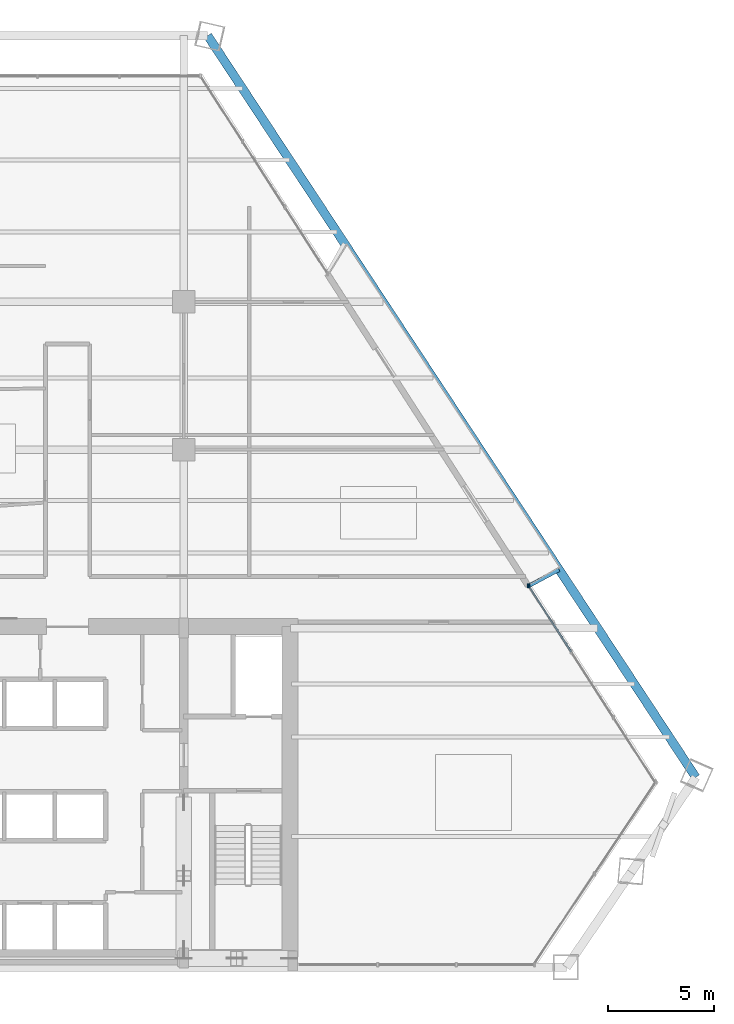
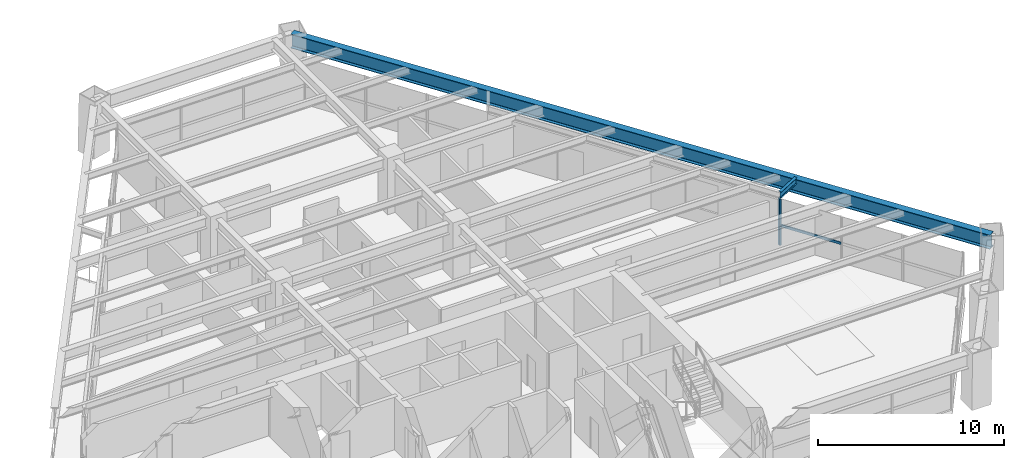
# One storey, part 7 of 14: 3 members, 2 beams, 1 element without a shape of its own.
"""IFC4 building model written with IfcOpenShell, lengths in metres."""

from ifc_helpers import new_model, si_unit, direction, frame, origin, origin_2d, place, context, subcontext, project, spatial, rectangle, i_section, extrude, source, transform, mapped, material, material_profile, profile_set, type_object, type_shapes, element, aggregate, save


model = new_model("IFC4")

# Units and contexts
model_context = context("Model", 3, precision=1e-05, world=origin(), true_north=direction((0.0, 1.0)))
body_context = subcontext(model_context, "Body", "Model", "MODEL_VIEW")
ifc_project = project(units=[si_unit("LENGTHUNIT", "METRE"), si_unit("AREAUNIT", "SQUARE_METRE"), si_unit("VOLUMEUNIT", "CUBIC_METRE"), si_unit("PLANEANGLEUNIT", "RADIAN"), si_unit("MASSUNIT", "GRAM", prefix="KILO")], contexts=[model_context])

# Site, building, storey
site_placement = place(None, origin())
site = spatial("IfcSite", under=ifc_project, at=site_placement, CompositionType="ELEMENT")
building_placement = place(site_placement, origin())
building = spatial("IfcBuilding", under=site, at=building_placement, Name="Varnakhor Terracotta Tower", CompositionType="ELEMENT")
storey_placement = place(building_placement, frame((0.0, 0.0, 106.199951171875)))
storey = spatial("IfcBuildingStorey", under=building, at=storey_placement, Name="L26", CompositionType="ELEMENT", Elevation=106.199951171875)

# Beam
ifc_material_1 = material(Name="Steel S355", Category="steel")
ifc_material_profile_1 = material_profile(ifc_material_1, i_section(OverallWidth=0.41796875, OverallDepth=0.927001953125, WebThickness=0.01904296875, FlangeThickness=0.031982421875, FilletRadius=0.01806640625, at=origin_2d()), Name="W36X231")
ifc_profile_set_1 = profile_set([ifc_material_profile_1], Name="Steel S355")
beam_type_1 = type_object("IfcBeamType", Name="BM-W36X231", PredefinedType="BEAM", material=ifc_profile_set_1)
shared_shape_1 = source(origin(), body_context, "Body", "SweptSolid", [
    extrude(i_section(OverallWidth=0.41796875, OverallDepth=0.927001953125, WebThickness=0.01904296875, FlangeThickness=0.031982421875, FilletRadius=0.01806640625, at=origin_2d()), origin(), (0.0, 0.0, 1.0), 42.01953125),
])
beam_1_placement = place(storey_placement, frame((29.735107421875, 8.992431640625, 2.986572265625), z_axis=(-0.549723955692, 0.835346378778, 0.0), x_axis=(-0.835346378778, -0.549723955692, 0.0)))
element("IfcBeam", 1, at=beam_1_placement, inside=storey, type_object=beam_type_1, Name="L26 Perimeter Spandrel 4", PredefinedType="BEAM", context=body_context, shape_type="MappedRepresentation", body=[
    mapped(shared_shape_1, transform((0.0, 0.0, 0.0), scale=1.0)),
])

# Curtain wall, members
ifc_material_2 = material(Name="Anodised Aluminium Curtain Wall System", Category="aluminium")
curtain_wall_type = type_object("IfcCurtainWallType", Name="CW-SYS-LOW-OFFICE", PredefinedType="NOTDEFINED", material=ifc_material_2)
curtain_wall_placement = place(storey_placement, origin())
curtain_wall = element("IfcCurtainWall", 2, at=curtain_wall_placement, inside=storey, type_object=curtain_wall_type, Name="L26 E Facet Curtain Wall 2", PredefinedType="NOTDEFINED")
ifc_material_3 = material(Name="Anodised Aluminium 6063-T6", Category="aluminium")
ifc_material_profile_2 = material_profile(ifc_material_3, rectangle(XDim=0.074951171875, YDim=0.18505859375, at=origin_2d()), Name="ALU MULLION 75x185")
ifc_profile_set_2 = profile_set([ifc_material_profile_2], Name="Anodised Aluminium 6063-T6")
member_type_1 = type_object("IfcMemberType", Name="CWM-02", PredefinedType="MULLION", material=ifc_profile_set_2)
shared_shape_2 = source(origin(), body_context, "Body", "SweptSolid", [
    extrude(rectangle(XDim=0.074951171875, YDim=0.18505859375, at=origin_2d()), origin(), (0.0, 0.0, 1.0), 3.030029296875),
])
type_shapes(member_type_1, [shared_shape_2])
member_1_placement = place(storey_placement, frame((21.83056640625, 18.045654296875, 0.0), z_axis=(0.0, 0.0, 1.0), x_axis=(1.0, 0.0, 0.0)))
member_1 = element("IfcMember", 3, at=member_1_placement, type_object=member_type_1, Name="L26 E Facet Curtain Wall 2 Mullion 1", PredefinedType="MULLION", context=body_context, shape_type="MappedRepresentation", body=[
    mapped(shared_shape_2, transform((0.0, 0.0, 0.0), scale=1.0)),
])
member_2_placement = place(storey_placement, frame((21.797607421875, 18.06005859375, 0.0), z_axis=(0.0, 0.0, 1.0), x_axis=(1.0, 0.0, 0.0)))
member_2 = element("IfcMember", 4, at=member_2_placement, type_object=member_type_1, Name="L26 E Loggia Jamb Closure Mullion 2", PredefinedType="MULLION", context=body_context, shape_type="MappedRepresentation", body=[
    mapped(shared_shape_2, transform((0.0, 0.0, 0.0), scale=1.0)),
])
ifc_material_profile_3 = material_profile(ifc_material_3, rectangle(XDim=0.074951171875, YDim=0.1650390625, at=origin_2d()), Name="ALU TRANSOM 75x165")
ifc_profile_set_3 = profile_set([ifc_material_profile_3], Name="Anodised Aluminium 6063-T6")
member_type_2 = type_object("IfcMemberType", Name="CWT-02", PredefinedType="USERDEFINED", material=ifc_profile_set_3)
shared_shape_3 = source(origin(), body_context, "Body", "SweptSolid", [
    extrude(rectangle(XDim=0.074951171875, YDim=0.1650390625, at=origin_2d()), origin(), (0.0, 0.0, 1.0), 3.703857421875),
])
member_3_placement = place(storey_placement, frame((21.83056640625, 18.045654296875, 1.272705078125), z_axis=(0.541303844025, -0.84082706215, 0.0), x_axis=(0.84082706215, 0.541303844025, 0.0)))
member_3 = element("IfcMember", 5, at=member_3_placement, type_object=member_type_2, Name="L26 E Facet Curtain Wall 2 Transom 1", ObjectType="TRANSOM", PredefinedType="USERDEFINED", context=body_context, shape_type="MappedRepresentation", body=[
    mapped(shared_shape_3, transform((0.0, 0.0, 0.0), scale=1.0)),
])
aggregate(curtain_wall, [member_1, member_3, member_2])

# Beam
ifc_material_profile_4 = material_profile(ifc_material_1, i_section(OverallWidth=0.179931640625, OverallDepth=0.39990234375, WebThickness=0.008544921875, FlangeThickness=0.013427734375, FilletRadius=0.01806640625, at=origin_2d()), Name="IPE400")
ifc_profile_set_4 = profile_set([ifc_material_profile_4], Name="Steel S355")
beam_type_2 = type_object("IfcBeamType", Name="JST-IPE400", PredefinedType="JOIST", material=ifc_profile_set_4)
shared_shape_4 = source(origin(), body_context, "Body", "SweptSolid", [
    extrude(i_section(OverallWidth=0.179931640625, OverallDepth=0.39990234375, WebThickness=0.008544921875, FlangeThickness=0.013427734375, FilletRadius=0.01806640625, at=origin_2d()), origin(), (0.0, 0.0, 1.0), 1.612548828125),
])
beam_2_placement = place(storey_placement, frame((21.84521484375, 18.060546875, 3.25), z_axis=(0.881891514457, 0.471452390733, 0.0), x_axis=(-0.471452390733, 0.881891514457, 0.0)))
element("IfcBeam", 6, at=beam_2_placement, inside=storey, type_object=beam_type_2, Name="L27 E Loggia Tie Beam 2", PredefinedType="JOIST", context=body_context, shape_type="MappedRepresentation", body=[
    mapped(shared_shape_4, transform((0.0, 0.0, 0.0), scale=1.0)),
])

save(model, "model.ifc")
